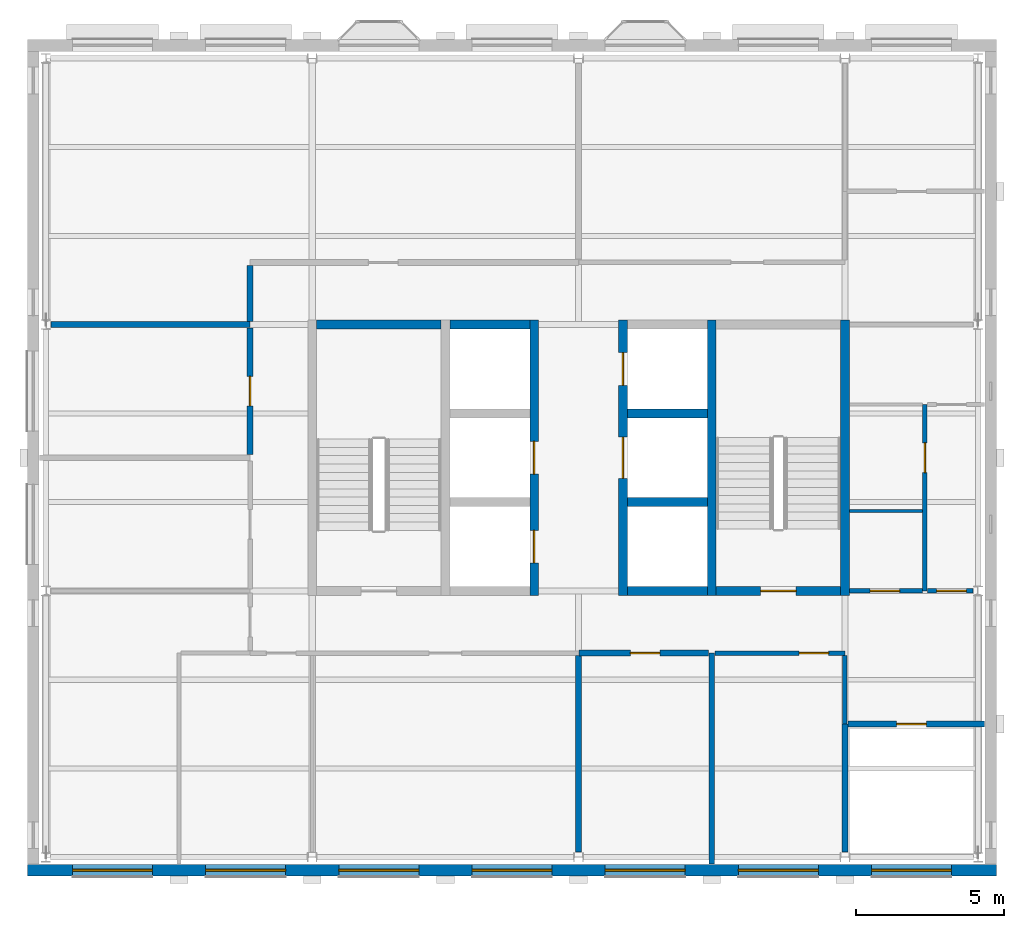
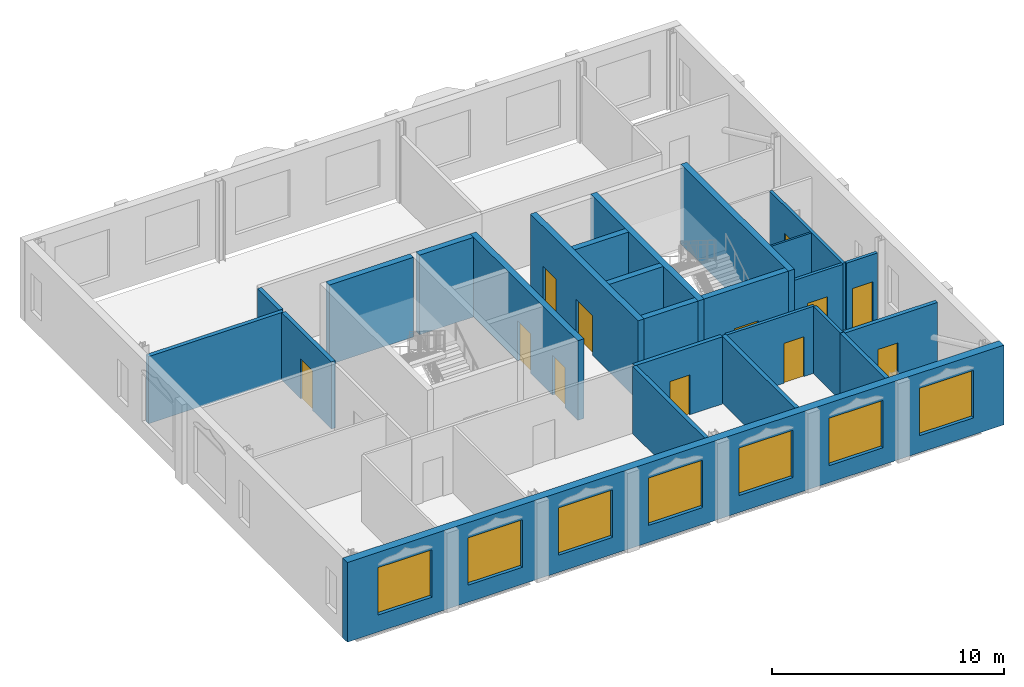
# One storey, part 4 of 9: 25 walls, 12 doors, 7 windows, 19 openings.
"""IFC4 building model written with IfcOpenShell, lengths in metres."""

from ifc_helpers import new_model, si_unit, direction, frame, frame_2d, origin, place, context, subcontext, project, spatial, rectangle, extrude, material, layer, layer_set, type_object, element, fill, save


model = new_model("IFC4")

# Units and contexts
model_context = context("Model", 3, precision=1e-05, world=origin(), true_north=direction((0.0, 1.0)))
body_context = subcontext(model_context, "Body", "Model", "MODEL_VIEW")
ifc_project = project(units=[si_unit("LENGTHUNIT", "METRE"), si_unit("AREAUNIT", "SQUARE_METRE"), si_unit("VOLUMEUNIT", "CUBIC_METRE"), si_unit("PLANEANGLEUNIT", "RADIAN"), si_unit("MASSUNIT", "GRAM", prefix="KILO")], contexts=[model_context])

# Site, building, storey
site_placement = place(None, origin())
site = spatial("IfcSite", under=ifc_project, at=site_placement, CompositionType="ELEMENT")
building_placement = place(site_placement, origin())
building = spatial("IfcBuilding", under=site, at=building_placement, Name="Hortulan Conservatory and Botanical Research Centre", CompositionType="ELEMENT")
storey_placement = place(building_placement, frame((0.0, 0.0, 44.39990234375)))
storey = spatial("IfcBuildingStorey", under=building, at=storey_placement, Name="L10", CompositionType="ELEMENT", Elevation=44.39990234375)

# Wall, opening, door
ifc_material_1 = material(Name="Fire-rated plasterboard on steel studs", Category="steel")
ifc_layer_1 = layer(ifc_material_1, 0.199951171875)
ifc_layer_set_1 = layer_set([ifc_layer_1], Name="Compartment Partition 200")
wall_type_1 = type_object("IfcWallType", Name="Compartment Partition 200", PredefinedType="PARTITIONING", material=ifc_layer_set_1)
wall_1_placement = place(storey_placement, frame((6.89990234375, 13.610107421875, 0.0), z_axis=(0.0, 0.0, 1.0), x_axis=(0.0, 1.0, 0.0)))
wall_1 = element("IfcWall", 1, at=wall_1_placement, inside=storey, type_object=wall_type_1, Name="Store wall", PredefinedType="PARTITIONING", context=body_context, shape_type="SweptSolid", body=[
    extrude(rectangle(XDim=4.27978515625, YDim=0.199951171875, at=frame_2d((2.139892578125, 0.0))), origin(), (0.0, 0.0, 1.0), 3.5419921875),
])
opening_1_placement = place(wall_1_placement, frame((1.639892578125, 0.0, 0.0)))
opening_1 = element("IfcOpeningElement", 2, at=opening_1_placement, cuts=wall_1, Name="Opening DT6", PredefinedType="OPENING", context=body_context, shape_type="SweptSolid", body=[
    extrude(rectangle(XDim=1.0, YDim=2.10009765625, at=frame_2d((0.5, 1.050048828125))), frame((0.0, 0.10986328125, 0.0), z_axis=(0.0, -1.0, 0.0), x_axis=(1.0, 0.0, 0.0)), (0.0, 0.0, 1.0), 0.219970703125),
])
ifc_material_2 = material(Name="Steel door leaf, insulated", Category="steel")
door_type_1 = type_object("IfcDoorType", Name="Fire Door 1000x2100 FRL -/120/30", OperationType="NOTDEFINED", PredefinedType="DOOR", material=ifc_material_2)
door_1_placement = place(opening_1_placement, origin())
door_1 = element("IfcDoor", 3, at=door_1_placement, inside=storey, type_object=door_type_1, Name="Door DT6 Chemical Store", OperationType="SINGLE_SWING_LEFT", OverallHeight=2.10009765625, OverallWidth=1.0, PredefinedType="DOOR", context=body_context, shape_type="SweptSolid", body=[
    extrude(rectangle(XDim=1.0, YDim=2.10009765625, at=frame_2d((0.5, 1.050048828125))), frame((0.0, 0.02490234375, 0.0), z_axis=(0.0, -1.0, 0.0), x_axis=(1.0, 0.0, 0.0)), (0.0, 0.0, 1.0), 0.050048828125),
])
fill(opening_1, door_1)

# Walls
wall_2_placement = place(storey_placement, frame((6.89990234375, 18.110107421875, 0.0), z_axis=(0.0, 0.0, 1.0), x_axis=(0.0, 1.0, 0.0)))
element("IfcWall", 4, at=wall_2_placement, inside=storey, type_object=wall_type_1, Name="Store wall", PredefinedType="PARTITIONING", context=body_context, shape_type="SweptSolid", body=[
    extrude(rectangle(XDim=1.8798828125, YDim=0.199951171875, at=frame_2d((0.93994140625, 0.0))), origin(), (0.0, 0.0, 1.0), 3.5419921875),
])
wall_3_placement = place(storey_placement, frame((18.0, 0.17041015625, 0.0), z_axis=(0.0, 0.0, 1.0), x_axis=(0.0, 1.0, 0.0)))
element("IfcWall", 5, at=wall_3_placement, inside=storey, type_object=wall_type_1, Name="Store wall", PredefinedType="PARTITIONING", context=body_context, shape_type="SweptSolid", body=[
    extrude(rectangle(XDim=6.64453125, YDim=0.199951171875, at=frame_2d((3.322265625, 0.0))), origin(), (0.0, 0.0, 1.0), 3.5419921875),
])
wall_4_placement = place(storey_placement, frame((22.5, -0.22607421875, 0.0), z_axis=(0.0, 0.0, 1.0), x_axis=(0.0, 1.0, 0.0)))
element("IfcWall", 6, at=wall_4_placement, inside=storey, type_object=wall_type_1, Name="Store wall", PredefinedType="PARTITIONING", context=body_context, shape_type="SweptSolid", body=[
    extrude(rectangle(XDim=7.1259765625, YDim=0.199951171875, at=frame_2d((3.56298828125, 0.0))), origin(), (0.0, 0.0, 1.0), 3.5419921875),
])
wall_5_placement = place(storey_placement, frame((27.0, 0.17041015625, 0.0), z_axis=(0.0, 0.0, 1.0), x_axis=(0.0, 1.0, 0.0)))
element("IfcWall", 7, at=wall_5_placement, inside=storey, type_object=wall_type_1, Name="Riser wall", PredefinedType="PARTITIONING", context=body_context, shape_type="SweptSolid", body=[
    extrude(rectangle(XDim=4.32958984375, YDim=0.199951171875, at=frame_2d((2.164794921875, 0.0))), origin(), (0.0, 0.0, 1.0), 3.5419921875),
])

# Wall, opening, door
wall_6_placement = place(storey_placement, frame((27.110107421875, 4.5, 0.0), z_axis=(0.0, 0.0, 1.0), x_axis=(1.0, 0.0, 0.0)))
wall_6 = element("IfcWall", 8, at=wall_6_placement, inside=storey, type_object=wall_type_1, Name="Riser wall", PredefinedType="PARTITIONING", context=body_context, shape_type="SweptSolid", body=[
    extrude(rectangle(XDim=4.60498046875, YDim=0.199951171875, at=frame_2d((2.302490234375, 0.0))), origin(), (0.0, 0.0, 1.0), 3.5419921875),
])
opening_2_placement = place(wall_6_placement, frame((1.639892578125, 0.0, 0.0)))
opening_2 = element("IfcOpeningElement", 9, at=opening_2_placement, cuts=wall_6, Name="Opening DT6", PredefinedType="OPENING", context=body_context, shape_type="SweptSolid", body=[
    extrude(rectangle(XDim=1.0, YDim=2.10009765625, at=frame_2d((0.5, 1.050048828125))), frame((0.0, 0.10986328125, 0.0), z_axis=(0.0, -1.0, 0.0), x_axis=(1.0, 0.0, 0.0)), (0.0, 0.0, 1.0), 0.219970703125),
])
door_2_placement = place(opening_2_placement, frame((1.0, 0.0, 0.0), z_axis=(0.0, 0.0, 1.0), x_axis=(-1.0, 0.0, 0.0)))
door_2 = element("IfcDoor", 10, at=door_2_placement, inside=storey, type_object=door_type_1, Name="Door DT6 Services Riser", OperationType="SINGLE_SWING_LEFT", OverallHeight=2.10009765625, OverallWidth=1.0, PredefinedType="DOOR", context=body_context, shape_type="SweptSolid", body=[
    extrude(rectangle(XDim=1.0, YDim=2.10009765625, at=frame_2d((0.5, 1.050048828125))), frame((0.0, 0.02490234375, 0.0), z_axis=(0.0, -1.0, 0.0), x_axis=(1.0, 0.0, 0.0)), (0.0, 0.0, 1.0), 0.050048828125),
])
fill(opening_2, door_2)

wall_7_placement = place(storey_placement, frame((18.010009765625, 6.89990234375, 0.0), z_axis=(0.0, 0.0, 1.0), x_axis=(1.0, 0.0, 0.0)))
wall_7 = element("IfcWall", 11, at=wall_7_placement, inside=storey, type_object=wall_type_1, Name="Store wall", PredefinedType="PARTITIONING", context=body_context, shape_type="SweptSolid", body=[
    extrude(rectangle(XDim=4.3798828125, YDim=0.199951171875, at=frame_2d((2.18994140625, 0.0))), origin(), (0.0, 0.0, 1.0), 3.5419921875),
])
opening_3_placement = place(wall_7_placement, frame((1.739990234375, 0.0, 0.0)))
opening_3 = element("IfcOpeningElement", 12, at=opening_3_placement, cuts=wall_7, Name="Opening DT6", PredefinedType="OPENING", context=body_context, shape_type="SweptSolid", body=[
    extrude(rectangle(XDim=1.0, YDim=2.10009765625, at=frame_2d((0.5, 1.050048828125))), frame((0.0, 0.10986328125, 0.0), z_axis=(0.0, -1.0, 0.0), x_axis=(1.0, 0.0, 0.0)), (0.0, 0.0, 1.0), 0.219970703125),
])
door_3_placement = place(opening_3_placement, frame((1.0, 0.0, 0.0), z_axis=(0.0, 0.0, 1.0), x_axis=(-1.0, 0.0, 0.0)))
door_3 = element("IfcDoor", 13, at=door_3_placement, inside=storey, type_object=door_type_1, Name="Door DT6 Chemical Store", OperationType="SINGLE_SWING_LEFT", OverallHeight=2.10009765625, OverallWidth=1.0, PredefinedType="DOOR", context=body_context, shape_type="SweptSolid", body=[
    extrude(rectangle(XDim=1.0, YDim=2.10009765625, at=frame_2d((0.5, 1.050048828125))), frame((0.0, 0.02490234375, 0.0), z_axis=(0.0, -1.0, 0.0), x_axis=(1.0, 0.0, 0.0)), (0.0, 0.0, 1.0), 0.050048828125),
])
fill(opening_3, door_3)

# Wall
wall_8_placement = place(storey_placement, frame((0.16455078125, 18.0, 0.0), z_axis=(0.0, 0.0, 1.0), x_axis=(1.0, 0.0, 0.0)))
element("IfcWall", 14, at=wall_8_placement, inside=storey, type_object=wall_type_1, Name="Store wall", PredefinedType="PARTITIONING", context=body_context, shape_type="SweptSolid", body=[
    extrude(rectangle(XDim=6.7353515625, YDim=0.199951171875, at=frame_2d((3.36767578125, 0.0))), origin(), (0.0, 0.0, 1.0), 3.5419921875),
])

# Wall, openings, doors
ifc_material_3 = material(Name="Concrete N40 (40 MPa, AS 3600)", Category="concrete")
ifc_layer_2 = layer(ifc_material_3, 0.300048828125)
ifc_layer_set_2 = layer_set([ifc_layer_2], Name="Core Wall 300 N40 FRL 240/120/120")
wall_type_2 = type_object("IfcWallType", Name="Core Wall 300 N40 FRL 240/120/120", PredefinedType="SHEAR", material=ifc_layer_set_2)
wall_9_placement = place(storey_placement, frame((16.5, 8.85009765625, 0.0), z_axis=(0.0, 0.0, 1.0), x_axis=(0.0, 1.0, 0.0)))
wall_9 = element("IfcWall", 15, at=wall_9_placement, inside=storey, type_object=wall_type_2, Name="Reinforced concrete shaft wall", PredefinedType="SHEAR", context=body_context, shape_type="SweptSolid", body=[
    extrude(rectangle(XDim=9.2998046875, YDim=0.300048828125, at=frame_2d((4.64990234375, 0.0))), origin(), (0.0, 0.0, 1.0), 4.2001953125),
])
opening_4_placement = place(wall_9_placement, frame((1.10009765625, 0.0, 0.0)))
opening_4 = element("IfcOpeningElement", 16, at=opening_4_placement, cuts=wall_9, Name="Opening LD1", PredefinedType="OPENING", context=body_context, shape_type="SweptSolid", body=[
    extrude(rectangle(XDim=1.10009765625, YDim=2.10009765625, at=frame_2d((0.550048828125, 1.050048828125))), frame((0.0, 0.159912109375, 0.0), z_axis=(0.0, -1.0, 0.0), x_axis=(1.0, 0.0, 0.0)), (0.0, 0.0, 1.0), 0.320068359375),
])
opening_5_placement = place(wall_9_placement, frame((4.10009765625, 0.0, 0.0)))
opening_5 = element("IfcOpeningElement", 17, at=opening_5_placement, cuts=wall_9, Name="Opening LD1", PredefinedType="OPENING", context=body_context, shape_type="SweptSolid", body=[
    extrude(rectangle(XDim=1.10009765625, YDim=2.10009765625, at=frame_2d((0.550048828125, 1.050048828125))), frame((0.0, 0.159912109375, 0.0), z_axis=(0.0, -1.0, 0.0), x_axis=(1.0, 0.0, 0.0)), (0.0, 0.0, 1.0), 0.320068359375),
])
ifc_material_4 = material(Name="Stainless steel door leaves in steel frame", Category="steel")
door_type_2 = type_object("IfcDoorType", Name="Lift Landing Door 1100x2100", OperationType="DOUBLE_DOOR_SLIDING", PredefinedType="DOOR", material=ifc_material_4)
door_4_placement = place(opening_4_placement, origin())
door_4 = element("IfcDoor", 18, at=door_4_placement, inside=storey, type_object=door_type_2, Name="Lift LP1 landing door L10", OperationType="DOUBLE_DOOR_SLIDING", OverallHeight=2.10009765625, OverallWidth=1.10009765625, PredefinedType="DOOR", context=body_context, shape_type="SweptSolid", body=[
    extrude(rectangle(XDim=1.10009765625, YDim=2.10009765625, at=frame_2d((0.550048828125, 1.050048828125))), frame((0.0, 0.02490234375, 0.0), z_axis=(0.0, -1.0, 0.0), x_axis=(1.0, 0.0, 0.0)), (0.0, 0.0, 1.0), 0.050048828125),
])
fill(opening_4, door_4)
door_5_placement = place(opening_5_placement, origin())
door_5 = element("IfcDoor", 19, at=door_5_placement, inside=storey, type_object=door_type_2, Name="Lift LP2 landing door L10", OperationType="DOUBLE_DOOR_SLIDING", OverallHeight=2.10009765625, OverallWidth=1.10009765625, PredefinedType="DOOR", context=body_context, shape_type="SweptSolid", body=[
    extrude(rectangle(XDim=1.10009765625, YDim=2.10009765625, at=frame_2d((0.550048828125, 1.050048828125))), frame((0.0, 0.02490234375, 0.0), z_axis=(0.0, -1.0, 0.0), x_axis=(1.0, 0.0, 0.0)), (0.0, 0.0, 1.0), 0.050048828125),
])
fill(opening_5, door_5)

wall_10_placement = place(storey_placement, frame((19.5, 8.85009765625, 0.0), z_axis=(0.0, 0.0, 1.0), x_axis=(0.0, 1.0, 0.0)))
wall_10 = element("IfcWall", 20, at=wall_10_placement, inside=storey, type_object=wall_type_2, Name="Reinforced concrete shaft wall", PredefinedType="SHEAR", context=body_context, shape_type="SweptSolid", body=[
    extrude(rectangle(XDim=9.2998046875, YDim=0.300048828125, at=frame_2d((4.64990234375, 0.0))), origin(), (0.0, 0.0, 1.0), 4.2001953125),
])
opening_6_placement = place(wall_10_placement, frame((3.949951171875, 0.0, 0.0)))
opening_6 = element("IfcOpeningElement", 21, at=opening_6_placement, cuts=wall_10, Name="Opening LD2", PredefinedType="OPENING", context=body_context, shape_type="SweptSolid", body=[
    extrude(rectangle(XDim=1.39990234375, YDim=2.10009765625, at=frame_2d((0.699951171875, 1.050048828125))), frame((0.0, 0.159912109375, 0.0), z_axis=(0.0, -1.0, 0.0), x_axis=(1.0, 0.0, 0.0)), (0.0, 0.0, 1.0), 0.320068359375),
])
opening_7_placement = place(wall_10_placement, frame((7.10009765625, 0.0, 0.0)))
opening_7 = element("IfcOpeningElement", 22, at=opening_7_placement, cuts=wall_10, Name="Opening LD1", PredefinedType="OPENING", context=body_context, shape_type="SweptSolid", body=[
    extrude(rectangle(XDim=1.10009765625, YDim=2.10009765625, at=frame_2d((0.550048828125, 1.050048828125))), frame((0.0, 0.159912109375, 0.0), z_axis=(0.0, -1.0, 0.0), x_axis=(1.0, 0.0, 0.0)), (0.0, 0.0, 1.0), 0.320068359375),
])
door_6_placement = place(opening_7_placement, origin())
door_6 = element("IfcDoor", 23, at=door_6_placement, inside=storey, type_object=door_type_2, Name="Lift LF1 landing door L10", OperationType="DOUBLE_DOOR_SLIDING", OverallHeight=2.10009765625, OverallWidth=1.10009765625, PredefinedType="DOOR", context=body_context, shape_type="SweptSolid", body=[
    extrude(rectangle(XDim=1.10009765625, YDim=2.10009765625, at=frame_2d((0.550048828125, 1.050048828125))), frame((0.0, 0.02490234375, 0.0), z_axis=(0.0, -1.0, 0.0), x_axis=(1.0, 0.0, 0.0)), (0.0, 0.0, 1.0), 0.050048828125),
])
fill(opening_7, door_6)
door_type_3 = type_object("IfcDoorType", Name="Lift Landing Door 1400x2100", OperationType="DOUBLE_DOOR_SLIDING", PredefinedType="DOOR", material=ifc_material_4)
door_7_placement = place(opening_6_placement, origin())
door_7 = element("IfcDoor", 24, at=door_7_placement, inside=storey, type_object=door_type_3, Name="Lift LG1 landing door L10", OperationType="DOUBLE_DOOR_SLIDING", OverallHeight=2.10009765625, OverallWidth=1.39990234375, PredefinedType="DOOR", context=body_context, shape_type="SweptSolid", body=[
    extrude(rectangle(XDim=1.39990234375, YDim=2.10009765625, at=frame_2d((0.699951171875, 1.050048828125))), frame((0.0, 0.02490234375, 0.0), z_axis=(0.0, -1.0, 0.0), x_axis=(1.0, 0.0, 0.0)), (0.0, 0.0, 1.0), 0.050048828125),
])
fill(opening_6, door_7)

# Walls
for number, where, z_axis, x_axis, name in (
    (25, (22.5, 8.85009765625, 0.0), (0.0, 0.0, 1.0), (0.0, 1.0, 0.0), "Reinforced concrete shaft wall"),
    (26, (27.0, 8.85009765625, 0.0), (0.0, 0.0, 1.0), (0.0, 1.0, 0.0), "Reinforced concrete shaft wall"),
):
    element("IfcWall", number, at=place(storey_placement, frame(where, z_axis=z_axis, x_axis=x_axis)), inside=storey, type_object=wall_type_2, Name=name, PredefinedType="SHEAR", context=body_context, shape_type="SweptSolid", body=[
        extrude(rectangle(XDim=9.2998046875, YDim=0.300048828125, at=frame_2d((4.64990234375, 0.0))), origin(), (0.0, 0.0, 1.0), 4.2001953125),
    ])
wall_11_placement = place(storey_placement, frame((19.64990234375, 9.0, 0.0), z_axis=(0.0, 0.0, 1.0), x_axis=(1.0, 0.0, 0.0)))
element("IfcWall", 27, at=wall_11_placement, inside=storey, type_object=wall_type_2, Name="Reinforced concrete shaft wall", PredefinedType="SHEAR", context=body_context, shape_type="SweptSolid", body=[
    extrude(rectangle(XDim=2.7001953125, YDim=0.300048828125, at=frame_2d((1.35009765625, 0.0))), origin(), (0.0, 0.0, 1.0), 4.2001953125),
])

# Wall, opening, door
wall_12_placement = place(storey_placement, frame((22.64990234375, 9.0, 0.0), z_axis=(0.0, 0.0, 1.0), x_axis=(1.0, 0.0, 0.0)))
wall_12 = element("IfcWall", 28, at=wall_12_placement, inside=storey, type_object=wall_type_2, Name="Reinforced concrete shaft wall", PredefinedType="SHEAR", context=body_context, shape_type="SweptSolid", body=[
    extrude(rectangle(XDim=4.2001953125, YDim=0.300048828125, at=frame_2d((2.10009765625, 0.0))), origin(), (0.0, 0.0, 1.0), 4.2001953125),
])
opening_8_placement = place(wall_12_placement, frame((1.5, 0.0, 0.0)))
opening_8 = element("IfcOpeningElement", 29, at=opening_8_placement, cuts=wall_12, Name="Opening DT5", PredefinedType="OPENING", context=body_context, shape_type="SweptSolid", body=[
    extrude(rectangle(XDim=1.199951171875, YDim=2.10009765625, at=frame_2d((0.60009765625, 1.050048828125))), frame((0.0, 0.159912109375, 0.0), z_axis=(0.0, -1.0, 0.0), x_axis=(1.0, 0.0, 0.0)), (0.0, 0.0, 1.0), 0.320068359375),
])
door_type_4 = type_object("IfcDoorType", Name="Stair Door 1200x2100 FRL -/120/30", OperationType="NOTDEFINED", PredefinedType="DOOR", material=ifc_material_2)
door_8_placement = place(opening_8_placement, origin())
door_8 = element("IfcDoor", 30, at=door_8_placement, inside=storey, type_object=door_type_4, Name="Door DT5 Exit Stair T2", OperationType="SINGLE_SWING_LEFT", OverallHeight=2.10009765625, OverallWidth=1.199951171875, PredefinedType="DOOR", context=body_context, shape_type="SweptSolid", body=[
    extrude(rectangle(XDim=1.199951171875, YDim=2.10009765625, at=frame_2d((0.60009765625, 1.050048828125))), frame((0.0, 0.02490234375, 0.0), z_axis=(0.0, -1.0, 0.0), x_axis=(1.0, 0.0, 0.0)), (0.0, 0.0, 1.0), 0.050048828125),
])
fill(opening_8, door_8)

# Walls
for number, where, z_axis, x_axis, name in (
    (31, (19.64990234375, 12.0, 0.0), (0.0, 0.0, 1.0), (1.0, 0.0, 0.0), "Reinforced concrete shaft wall"),
    (32, (19.64990234375, 15.0, 0.0), (0.0, 0.0, 1.0), (1.0, 0.0, 0.0), "Reinforced concrete shaft wall"),
):
    element("IfcWall", number, at=place(storey_placement, frame(where, z_axis=z_axis, x_axis=x_axis)), inside=storey, type_object=wall_type_2, Name=name, PredefinedType="SHEAR", context=body_context, shape_type="SweptSolid", body=[
        extrude(rectangle(XDim=2.7001953125, YDim=0.300048828125, at=frame_2d((1.35009765625, 0.0))), origin(), (0.0, 0.0, 1.0), 4.2001953125),
    ])
wall_13_placement = place(storey_placement, frame((9.14990234375, 18.0, 0.0), z_axis=(0.0, 0.0, 1.0), x_axis=(1.0, 0.0, 0.0)))
element("IfcWall", 33, at=wall_13_placement, inside=storey, type_object=wall_type_2, Name="Reinforced concrete shaft wall", PredefinedType="SHEAR", context=body_context, shape_type="SweptSolid", body=[
    extrude(rectangle(XDim=4.2001953125, YDim=0.300048828125, at=frame_2d((2.10009765625, 0.0))), origin(), (0.0, 0.0, 1.0), 4.2001953125),
])
wall_14_placement = place(storey_placement, frame((13.64990234375, 18.0, 0.0), z_axis=(0.0, 0.0, 1.0), x_axis=(1.0, 0.0, 0.0)))
element("IfcWall", 34, at=wall_14_placement, inside=storey, type_object=wall_type_2, Name="Reinforced concrete shaft wall", PredefinedType="SHEAR", context=body_context, shape_type="SweptSolid", body=[
    extrude(rectangle(XDim=2.7001953125, YDim=0.300048828125, at=frame_2d((1.35009765625, 0.0))), origin(), (0.0, 0.0, 1.0), 4.2001953125),
])
ifc_material_5 = material(Name="Plasterboard on steel studs", Category="steel")
ifc_layer_3 = layer(ifc_material_5, 0.14990234375)
ifc_layer_set_3 = layer_set([ifc_layer_3], Name="Corridor Partition 150")
wall_type_3 = type_object("IfcWallType", Name="Corridor Partition 150", PredefinedType="PARTITIONING", material=ifc_layer_set_3)
wall_15_placement = place(storey_placement, frame((27.0, 4.510009765625, 0.0), z_axis=(0.0, 0.0, 1.0), x_axis=(0.0, 1.0, 0.0)))
element("IfcWall", 35, at=wall_15_placement, inside=storey, type_object=wall_type_3, Name="Corridor partition", PredefinedType="PARTITIONING", context=body_context, shape_type="SweptSolid", body=[
    extrude(rectangle(XDim=2.304931640625, YDim=0.14990234375, at=frame_2d((1.15234375, 0.0))), origin(), (0.0, 0.0, 1.0), 3.5419921875),
])

# Wall, opening, door
wall_16_placement = place(storey_placement, frame((22.610107421875, 6.89990234375, 0.0), z_axis=(0.0, 0.0, 1.0), x_axis=(1.0, 0.0, 0.0)))
wall_16 = element("IfcWall", 36, at=wall_16_placement, inside=storey, type_object=wall_type_3, Name="Corridor partition", PredefinedType="PARTITIONING", context=body_context, shape_type="SweptSolid", body=[
    extrude(rectangle(XDim=4.389892578125, YDim=0.14990234375, at=frame_2d((2.19482421875, 0.0))), origin(), (0.0, 0.0, 1.0), 3.5419921875),
])
opening_9_placement = place(wall_16_placement, frame((2.840087890625, 0.0, 0.0)))
opening_9 = element("IfcOpeningElement", 37, at=opening_9_placement, cuts=wall_16, Name="Opening DT1", PredefinedType="OPENING", context=body_context, shape_type="SweptSolid", body=[
    extrude(rectangle(XDim=1.0, YDim=2.10009765625, at=frame_2d((0.5, 1.050048828125))), frame((0.0, 0.0849609375, 0.0), z_axis=(0.0, -1.0, 0.0), x_axis=(1.0, 0.0, 0.0)), (0.0, 0.0, 1.0), 0.169921875),
])
ifc_material_6 = material(Name="Timber door leaf in timber frame", Category="wood")
door_type_5 = type_object("IfcDoorType", Name="Single Door 1000x2100", OperationType="NOTDEFINED", PredefinedType="DOOR", material=ifc_material_6)
door_9_placement = place(opening_9_placement, frame((1.0, 0.0, 0.0), z_axis=(0.0, 0.0, 1.0), x_axis=(-1.0, 0.0, 0.0)))
door_9 = element("IfcDoor", 38, at=door_9_placement, inside=storey, type_object=door_type_5, Name="Door DT1 Instrument Room", OperationType="SINGLE_SWING_RIGHT", OverallHeight=2.10009765625, OverallWidth=1.0, PredefinedType="DOOR", context=body_context, shape_type="SweptSolid", body=[
    extrude(rectangle(XDim=1.0, YDim=2.10009765625, at=frame_2d((0.5, 1.050048828125))), frame((0.0, 0.02490234375, 0.0), z_axis=(0.0, -1.0, 0.0), x_axis=(1.0, 0.0, 0.0)), (0.0, 0.0, 1.0), 0.050048828125),
])
fill(opening_9, door_9)

wall_17_placement = place(storey_placement, frame((27.159912109375, 9.0, 0.0), z_axis=(0.0, 0.0, 1.0), x_axis=(1.0, 0.0, 0.0)))
wall_17 = element("IfcWall", 39, at=wall_17_placement, inside=storey, type_object=wall_type_3, Name="Corridor partition", PredefinedType="PARTITIONING", context=body_context, shape_type="SweptSolid", body=[
    extrude(rectangle(XDim=2.455078125, YDim=0.14990234375, at=frame_2d((1.2275390625, 0.0))), origin(), (0.0, 0.0, 1.0), 3.5419921875),
])
opening_10_placement = place(wall_17_placement, frame((0.68994140625, 0.0, 0.0)))
opening_10 = element("IfcOpeningElement", 40, at=opening_10_placement, cuts=wall_17, Name="Opening DT1", PredefinedType="OPENING", context=body_context, shape_type="SweptSolid", body=[
    extrude(rectangle(XDim=1.0, YDim=2.10009765625, at=frame_2d((0.5, 1.050048828125))), frame((0.0, 0.0849609375, 0.0), z_axis=(0.0, -1.0, 0.0), x_axis=(1.0, 0.0, 0.0)), (0.0, 0.0, 1.0), 0.169921875),
])
door_10_placement = place(opening_10_placement, origin())
door_10 = element("IfcDoor", 41, at=door_10_placement, inside=storey, type_object=door_type_5, Name="Door DT1 Accessible WC", OperationType="SINGLE_SWING_RIGHT", OverallHeight=2.10009765625, OverallWidth=1.0, PredefinedType="DOOR", context=body_context, shape_type="SweptSolid", body=[
    extrude(rectangle(XDim=1.0, YDim=2.10009765625, at=frame_2d((0.5, 1.050048828125))), frame((0.0, 0.02490234375, 0.0), z_axis=(0.0, -1.0, 0.0), x_axis=(1.0, 0.0, 0.0)), (0.0, 0.0, 1.0), 0.050048828125),
])
fill(opening_10, door_10)

# Wall, openings, windows
ifc_material_7 = material(Name="Faience-faced brickwork masonry", Category="masonry")
ifc_layer_4 = layer(ifc_material_7, 0.39990234375)
ifc_layer_set_4 = layer_set([ifc_layer_4], Name="Faience-faced Masonry Cavity Wall 400")
wall_type_4 = type_object("IfcWallType", Name="Faience-faced Masonry Cavity Wall 400", PredefinedType="STANDARD", material=ifc_layer_set_4)
wall_18_placement = place(storey_placement, frame((32.125, -0.43603515625, 0.0), z_axis=(0.0, 0.0, 1.0), x_axis=(-1.0, 0.0, 0.0)))
wall_18 = element("IfcWall", 42, at=wall_18_placement, inside=storey, type_object=wall_type_4, Name="E-EW-TW-L10-S1", PredefinedType="STANDARD", context=body_context, shape_type="SweptSolid", body=[
    extrude(rectangle(XDim=32.75, YDim=0.39990234375, at=frame_2d((16.375, 0.0))), origin(), (0.0, 0.0, 1.0), 4.2001953125),
])
opening_11_placement = place(wall_18_placement, frame((28.52490234375, 0.0, 0.89990234375)))
opening_11 = element("IfcOpeningElement", 43, at=opening_11_placement, cuts=wall_18, Name="Opening W4", PredefinedType="OPENING", context=body_context, shape_type="SweptSolid", body=[
    extrude(rectangle(XDim=2.699951171875, YDim=2.5, at=frame_2d((1.35009765625, 1.25))), frame((0.0, 0.2099609375, 0.0), z_axis=(0.0, -1.0, 0.0), x_axis=(1.0, 0.0, 0.0)), (0.0, 0.0, 1.0), 0.419921875),
])
opening_12_placement = place(wall_18_placement, frame((24.02490234375, 0.0, 0.89990234375)))
opening_12 = element("IfcOpeningElement", 44, at=opening_12_placement, cuts=wall_18, Name="Opening W4", PredefinedType="OPENING", context=body_context, shape_type="SweptSolid", body=[
    extrude(rectangle(XDim=2.699951171875, YDim=2.5, at=frame_2d((1.35009765625, 1.25))), frame((0.0, 0.2099609375, 0.0), z_axis=(0.0, -1.0, 0.0), x_axis=(1.0, 0.0, 0.0)), (0.0, 0.0, 1.0), 0.419921875),
])
opening_13_placement = place(wall_18_placement, frame((19.52490234375, 0.0, 0.89990234375)))
opening_13 = element("IfcOpeningElement", 45, at=opening_13_placement, cuts=wall_18, Name="Opening W4", PredefinedType="OPENING", context=body_context, shape_type="SweptSolid", body=[
    extrude(rectangle(XDim=2.699951171875, YDim=2.5, at=frame_2d((1.35009765625, 1.25))), frame((0.0, 0.2099609375, 0.0), z_axis=(0.0, -1.0, 0.0), x_axis=(1.0, 0.0, 0.0)), (0.0, 0.0, 1.0), 0.419921875),
])
opening_14_placement = place(wall_18_placement, frame((15.02490234375, 0.0, 0.89990234375)))
opening_14 = element("IfcOpeningElement", 46, at=opening_14_placement, cuts=wall_18, Name="Opening W4", PredefinedType="OPENING", context=body_context, shape_type="SweptSolid", body=[
    extrude(rectangle(XDim=2.699951171875, YDim=2.5, at=frame_2d((1.35009765625, 1.25))), frame((0.0, 0.2099609375, 0.0), z_axis=(0.0, -1.0, 0.0), x_axis=(1.0, 0.0, 0.0)), (0.0, 0.0, 1.0), 0.419921875),
])
opening_15_placement = place(wall_18_placement, frame((10.52490234375, 0.0, 0.89990234375)))
opening_15 = element("IfcOpeningElement", 47, at=opening_15_placement, cuts=wall_18, Name="Opening W4", PredefinedType="OPENING", context=body_context, shape_type="SweptSolid", body=[
    extrude(rectangle(XDim=2.699951171875, YDim=2.5, at=frame_2d((1.35009765625, 1.25))), frame((0.0, 0.2099609375, 0.0), z_axis=(0.0, -1.0, 0.0), x_axis=(1.0, 0.0, 0.0)), (0.0, 0.0, 1.0), 0.419921875),
])
opening_16_placement = place(wall_18_placement, frame((6.02490234375, 0.0, 0.89990234375)))
opening_16 = element("IfcOpeningElement", 48, at=opening_16_placement, cuts=wall_18, Name="Opening W4", PredefinedType="OPENING", context=body_context, shape_type="SweptSolid", body=[
    extrude(rectangle(XDim=2.699951171875, YDim=2.5, at=frame_2d((1.35009765625, 1.25))), frame((0.0, 0.2099609375, 0.0), z_axis=(0.0, -1.0, 0.0), x_axis=(1.0, 0.0, 0.0)), (0.0, 0.0, 1.0), 0.419921875),
])
opening_17_placement = place(wall_18_placement, frame((1.52490234375, 0.0, 0.89990234375)))
opening_17 = element("IfcOpeningElement", 49, at=opening_17_placement, cuts=wall_18, Name="Opening W4", PredefinedType="OPENING", context=body_context, shape_type="SweptSolid", body=[
    extrude(rectangle(XDim=2.699951171875, YDim=2.5, at=frame_2d((1.35009765625, 1.25))), frame((0.0, 0.2099609375, 0.0), z_axis=(0.0, -1.0, 0.0), x_axis=(1.0, 0.0, 0.0)), (0.0, 0.0, 1.0), 0.419921875),
])
ifc_material_8 = material(Name="Bronze-finished aluminium frame with low-e laminated double glazing", Category="aluminium")
window_type = type_object("IfcWindowType", Name="Faience Window 2700x2500", PartitioningType="SINGLE_PANEL", PredefinedType="WINDOW", material=ifc_material_8)
window_1_placement = place(opening_11_placement, origin())
window_1 = element("IfcWindow", 50, at=window_1_placement, inside=storey, type_object=window_type, Name="Faience window", OverallHeight=2.5, OverallWidth=2.699951171875, PartitioningType="SINGLE_PANEL", PredefinedType="WINDOW", context=body_context, shape_type="SweptSolid", body=[
    extrude(rectangle(XDim=2.699951171875, YDim=2.5, at=frame_2d((1.35009765625, 1.25))), frame((0.0, 0.030029296875, 0.0), z_axis=(0.0, -1.0, 0.0), x_axis=(1.0, 0.0, 0.0)), (0.0, 0.0, 1.0), 0.06005859375),
])
fill(opening_11, window_1)
window_2_placement = place(opening_12_placement, origin())
window_2 = element("IfcWindow", 51, at=window_2_placement, inside=storey, type_object=window_type, Name="Faience window", OverallHeight=2.5, OverallWidth=2.699951171875, PartitioningType="SINGLE_PANEL", PredefinedType="WINDOW", context=body_context, shape_type="SweptSolid", body=[
    extrude(rectangle(XDim=2.699951171875, YDim=2.5, at=frame_2d((1.35009765625, 1.25))), frame((0.0, 0.030029296875, 0.0), z_axis=(0.0, -1.0, 0.0), x_axis=(1.0, 0.0, 0.0)), (0.0, 0.0, 1.0), 0.06005859375),
])
fill(opening_12, window_2)
window_3_placement = place(opening_13_placement, origin())
window_3 = element("IfcWindow", 52, at=window_3_placement, inside=storey, type_object=window_type, Name="Faience window", OverallHeight=2.5, OverallWidth=2.699951171875, PartitioningType="SINGLE_PANEL", PredefinedType="WINDOW", context=body_context, shape_type="SweptSolid", body=[
    extrude(rectangle(XDim=2.699951171875, YDim=2.5, at=frame_2d((1.35009765625, 1.25))), frame((0.0, 0.030029296875, 0.0), z_axis=(0.0, -1.0, 0.0), x_axis=(1.0, 0.0, 0.0)), (0.0, 0.0, 1.0), 0.06005859375),
])
fill(opening_13, window_3)
window_4_placement = place(opening_14_placement, origin())
window_4 = element("IfcWindow", 53, at=window_4_placement, inside=storey, type_object=window_type, Name="Faience window", OverallHeight=2.5, OverallWidth=2.699951171875, PartitioningType="SINGLE_PANEL", PredefinedType="WINDOW", context=body_context, shape_type="SweptSolid", body=[
    extrude(rectangle(XDim=2.699951171875, YDim=2.5, at=frame_2d((1.35009765625, 1.25))), frame((0.0, 0.030029296875, 0.0), z_axis=(0.0, -1.0, 0.0), x_axis=(1.0, 0.0, 0.0)), (0.0, 0.0, 1.0), 0.06005859375),
])
fill(opening_14, window_4)
window_5_placement = place(opening_15_placement, origin())
window_5 = element("IfcWindow", 54, at=window_5_placement, inside=storey, type_object=window_type, Name="Faience window", OverallHeight=2.5, OverallWidth=2.699951171875, PartitioningType="SINGLE_PANEL", PredefinedType="WINDOW", context=body_context, shape_type="SweptSolid", body=[
    extrude(rectangle(XDim=2.699951171875, YDim=2.5, at=frame_2d((1.35009765625, 1.25))), frame((0.0, 0.030029296875, 0.0), z_axis=(0.0, -1.0, 0.0), x_axis=(1.0, 0.0, 0.0)), (0.0, 0.0, 1.0), 0.06005859375),
])
fill(opening_15, window_5)
window_6_placement = place(opening_16_placement, origin())
window_6 = element("IfcWindow", 55, at=window_6_placement, inside=storey, type_object=window_type, Name="Faience window", OverallHeight=2.5, OverallWidth=2.699951171875, PartitioningType="SINGLE_PANEL", PredefinedType="WINDOW", context=body_context, shape_type="SweptSolid", body=[
    extrude(rectangle(XDim=2.699951171875, YDim=2.5, at=frame_2d((1.35009765625, 1.25))), frame((0.0, 0.030029296875, 0.0), z_axis=(0.0, -1.0, 0.0), x_axis=(1.0, 0.0, 0.0)), (0.0, 0.0, 1.0), 0.06005859375),
])
fill(opening_16, window_6)
window_7_placement = place(opening_17_placement, origin())
window_7 = element("IfcWindow", 56, at=window_7_placement, inside=storey, type_object=window_type, Name="Faience window", OverallHeight=2.5, OverallWidth=2.699951171875, PartitioningType="SINGLE_PANEL", PredefinedType="WINDOW", context=body_context, shape_type="SweptSolid", body=[
    extrude(rectangle(XDim=2.699951171875, YDim=2.5, at=frame_2d((1.35009765625, 1.25))), frame((0.0, 0.030029296875, 0.0), z_axis=(0.0, -1.0, 0.0), x_axis=(1.0, 0.0, 0.0)), (0.0, 0.0, 1.0), 0.06005859375),
])
fill(opening_17, window_7)

# Wall, opening, door
ifc_layer_5 = layer(ifc_material_1, 0.14990234375)
ifc_layer_set_5 = layer_set([ifc_layer_5], Name="Lobby Partition 150")
wall_type_5 = type_object("IfcWallType", Name="Lobby Partition 150", PredefinedType="PARTITIONING", material=ifc_layer_set_5)
wall_19_placement = place(storey_placement, frame((29.699951171875, 9.0, 0.0), z_axis=(0.0, 0.0, 1.0), x_axis=(0.0, 1.0, 0.0)))
wall_19 = element("IfcWall", 57, at=wall_19_placement, inside=storey, type_object=wall_type_5, Name="Lobby partition", PredefinedType="PARTITIONING", context=body_context, shape_type="SweptSolid", body=[
    extrude(rectangle(XDim=6.300048828125, YDim=0.14990234375, at=frame_2d((3.14990234375, 0.0))), origin(), (0.0, 0.0, 1.0), 3.5419921875),
])
opening_18_placement = place(wall_19_placement, frame((4.0, 0.0, 0.0)))
opening_18 = element("IfcOpeningElement", 58, at=opening_18_placement, cuts=wall_19, Name="Opening DT4", PredefinedType="OPENING", context=body_context, shape_type="SweptSolid", body=[
    extrude(rectangle(XDim=1.0, YDim=2.10009765625, at=frame_2d((0.5, 1.050048828125))), frame((0.0, 0.0849609375, 0.0), z_axis=(0.0, -1.0, 0.0), x_axis=(1.0, 0.0, 0.0)), (0.0, 0.0, 1.0), 0.169921875),
])
door_type_6 = type_object("IfcDoorType", Name="Fire Door 1000x2100 FRL -/60/30", OperationType="NOTDEFINED", PredefinedType="DOOR", material=ifc_material_2)
door_11_placement = place(opening_18_placement, origin())
door_11 = element("IfcDoor", 59, at=door_11_placement, inside=storey, type_object=door_type_6, Name="Door DT4 Women's WC", OperationType="SINGLE_SWING_LEFT", OverallHeight=2.10009765625, OverallWidth=1.0, PredefinedType="DOOR", context=body_context, shape_type="SweptSolid", body=[
    extrude(rectangle(XDim=1.0, YDim=2.10009765625, at=frame_2d((0.5, 1.050048828125))), frame((0.0, 0.02490234375, 0.0), z_axis=(0.0, -1.0, 0.0), x_axis=(1.0, 0.0, 0.0)), (0.0, 0.0, 1.0), 0.050048828125),
])
fill(opening_18, door_11)

wall_20_placement = place(storey_placement, frame((29.784912109375, 9.0, 0.0), z_axis=(0.0, 0.0, 1.0), x_axis=(1.0, 0.0, 0.0)))
wall_20 = element("IfcWall", 60, at=wall_20_placement, inside=storey, type_object=wall_type_5, Name="Lobby partition", PredefinedType="PARTITIONING", context=body_context, shape_type="SweptSolid", body=[
    extrude(rectangle(XDim=1.550537109375, YDim=0.14990234375, at=frame_2d((0.775390625, 0.0))), origin(), (0.0, 0.0, 1.0), 3.5419921875),
])
opening_19_placement = place(wall_20_placement, frame((0.31494140625, 0.0, 0.0)))
opening_19 = element("IfcOpeningElement", 61, at=opening_19_placement, cuts=wall_20, Name="Opening DT4", PredefinedType="OPENING", context=body_context, shape_type="SweptSolid", body=[
    extrude(rectangle(XDim=1.0, YDim=2.10009765625, at=frame_2d((0.5, 1.050048828125))), frame((0.0, 0.0849609375, 0.0), z_axis=(0.0, -1.0, 0.0), x_axis=(1.0, 0.0, 0.0)), (0.0, 0.0, 1.0), 0.169921875),
])
door_12_placement = place(opening_19_placement, origin())
door_12 = element("IfcDoor", 62, at=door_12_placement, inside=storey, type_object=door_type_6, Name="Door DT4 WC Lobby", OperationType="SINGLE_SWING_LEFT", OverallHeight=2.10009765625, OverallWidth=1.0, PredefinedType="DOOR", context=body_context, shape_type="SweptSolid", body=[
    extrude(rectangle(XDim=1.0, YDim=2.10009765625, at=frame_2d((0.5, 1.050048828125))), frame((0.0, 0.02490234375, 0.0), z_axis=(0.0, -1.0, 0.0), x_axis=(1.0, 0.0, 0.0)), (0.0, 0.0, 1.0), 0.050048828125),
])
fill(opening_19, door_12)

# Wall
ifc_material_9 = material(Name="Moisture-resistant plasterboard on steel studs", Category="steel")
ifc_layer_6 = layer(ifc_material_9, 0.10009765625)
ifc_layer_set_6 = layer_set([ifc_layer_6], Name="Wet Area Partition 100")
wall_type_6 = type_object("IfcWallType", Name="Wet Area Partition 100", PredefinedType="PARTITIONING", material=ifc_layer_set_6)
wall_21_placement = place(storey_placement, frame((27.159912109375, 11.699951171875, 0.0), z_axis=(0.0, 0.0, 1.0), x_axis=(1.0, 0.0, 0.0)))
element("IfcWall", 63, at=wall_21_placement, inside=storey, type_object=wall_type_6, Name="Toilet partition", PredefinedType="PARTITIONING", context=body_context, shape_type="SweptSolid", body=[
    extrude(rectangle(XDim=2.455078125, YDim=0.10009765625, at=frame_2d((1.2275390625, 0.0))), origin(), (0.0, 0.0, 1.0), 3.5419921875),
])

save(model, "model.ifc")
